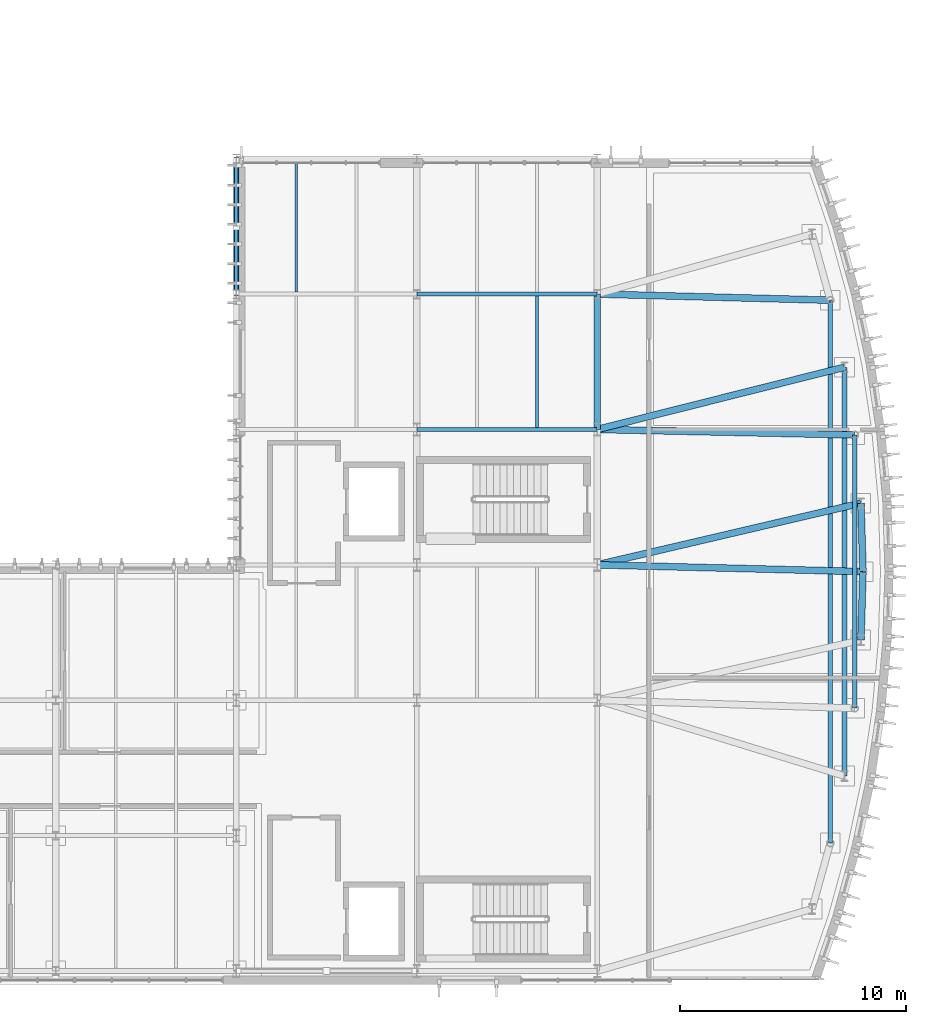
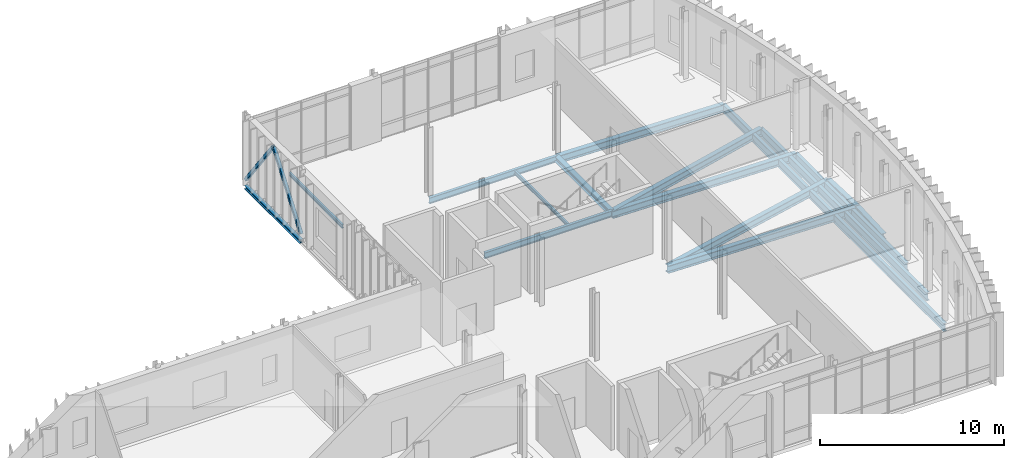
# One storey, part 41 of 86: 16 beams, 2 members.
"""IFC4 building model written with IfcOpenShell, lengths in metres."""

from ifc_helpers import new_model, si_unit, direction, frame, origin, origin_2d, place, context, subcontext, project, spatial, hollow_rectangle, i_section, extrude, material, material_profile, profile_set, type_object, element, save


model = new_model("IFC4")

# Units and contexts
model_context = context("Model", 3, precision=1e-05, world=origin(), true_north=direction((0.0, 1.0)))
body_context = subcontext(model_context, "Body", "Model", "MODEL_VIEW")
ifc_project = project(units=[si_unit("LENGTHUNIT", "METRE"), si_unit("AREAUNIT", "SQUARE_METRE"), si_unit("VOLUMEUNIT", "CUBIC_METRE"), si_unit("PLANEANGLEUNIT", "RADIAN"), si_unit("MASSUNIT", "GRAM", prefix="KILO")], contexts=[model_context])

# Site, building, storey
site_placement = place(None, origin())
site = spatial("IfcSite", under=ifc_project, at=site_placement, CompositionType="ELEMENT")
building_placement = place(site_placement, origin())
building = spatial("IfcBuilding", under=site, at=building_placement, Name="Cymarion Research Institute", CompositionType="ELEMENT")
storey_placement = place(building_placement, frame((0.0, 0.0, 13.800048828125)))
storey = spatial("IfcBuildingStorey", under=building, at=storey_placement, Name="L03", CompositionType="ELEMENT", Elevation=13.800048828125)

# Beams
ifc_material = material(Name="Steel S355", Category="steel")
ifc_material_profile_1 = material_profile(ifc_material, i_section(OverallWidth=0.2099609375, OverallDepth=0.550048828125, WebThickness=0.010986328125, FlangeThickness=0.01708984375, FilletRadius=0.02392578125, at=origin_2d()), Name="IPE 550")
ifc_profile_set_1 = profile_set([ifc_material_profile_1], Name="Steel S355")
beam_type_1 = type_object("IfcBeamType", Name="PRIMARY GIRDER BM02 IPE 550", PredefinedType="BEAM", material=ifc_profile_set_1)
beam_1_placement = place(storey_placement, frame((164.929931640625, 11.1787109375, -0.525146484375), z_axis=(0.0, 1.0, 0.0), x_axis=(-1.0, 0.0, 0.0)))
element("IfcBeam", 1, at=beam_1_placement, inside=storey, type_object=beam_type_1, Name="L03 V1 girder BM02 #1224", PredefinedType="BEAM", context=body_context, shape_type="SweptSolid", body=[
    extrude(i_section(OverallWidth=0.2099609375, OverallDepth=0.550048828125, WebThickness=0.010986328125, FlangeThickness=0.01708984375, FilletRadius=0.02392578125, at=origin_2d()), origin(), (0.0, 0.0, 1.0), 24.04248046875),
])
beam_2_placement = place(storey_placement, frame((165.56005859375, 14.1474609375, -0.525146484375), z_axis=(0.0, 1.0, 0.0), x_axis=(-1.0, 0.0, 0.0)))
element("IfcBeam", 2, at=beam_2_placement, inside=storey, type_object=beam_type_1, Name="L03 V1 girder BM02 #1225", PredefinedType="BEAM", context=body_context, shape_type="SweptSolid", body=[
    extrude(i_section(OverallWidth=0.2099609375, OverallDepth=0.550048828125, WebThickness=0.010986328125, FlangeThickness=0.01708984375, FilletRadius=0.02392578125, at=origin_2d()), origin(), (0.0, 0.0, 1.0), 18.10498046875),
])
beam_3_placement = place(storey_placement, frame((166.010009765625, 17.148681640625, -0.525146484375), z_axis=(0.0, 1.0, 0.0), x_axis=(-1.0, 0.0, 0.0)))
element("IfcBeam", 3, at=beam_3_placement, inside=storey, type_object=beam_type_1, Name="L03 V1 girder BM02 #1226", PredefinedType="BEAM", context=body_context, shape_type="SweptSolid", body=[
    extrude(i_section(OverallWidth=0.2099609375, OverallDepth=0.550048828125, WebThickness=0.010986328125, FlangeThickness=0.01708984375, FilletRadius=0.02392578125, at=origin_2d()), origin(), (0.0, 0.0, 1.0), 12.1025390625),
])
ifc_material_profile_2 = material_profile(ifc_material, i_section(OverallWidth=0.179931640625, OverallDepth=0.39990234375, WebThickness=0.008544921875, FlangeThickness=0.013427734375, FilletRadius=0.02099609375, at=origin_2d()), Name="IPE 400")
ifc_profile_set_2 = profile_set([ifc_material_profile_2], Name="Steel S355")
beam_type_2 = type_object("IfcBeamType", Name="PRIMARY GIRDER BM05 IPE 400", PredefinedType="BEAM", material=ifc_profile_set_2)
for number, where, z_axis, x_axis, name in (
    (4, (146.60595703125, 29.5, -0.449951171875), (1.0, 0.0, 0.0), (0.0, 1.0, 0.0), "L03 V1 girder BM05 #1191"),
    (5, (146.60595703125, 35.5, -0.449951171875), (1.0, 0.0, 0.0), (0.0, 1.0, 0.0), "L03 V1 girder BM05 #1193"),
):
    element("IfcBeam", number, at=place(storey_placement, frame(where, z_axis=z_axis, x_axis=x_axis)), inside=storey, type_object=beam_type_2, Name=name, PredefinedType="BEAM", context=body_context, shape_type="SweptSolid", body=[
        extrude(i_section(OverallWidth=0.179931640625, OverallDepth=0.39990234375, WebThickness=0.008544921875, FlangeThickness=0.013427734375, FilletRadius=0.02099609375, at=origin_2d()), origin(), (0.0, 0.0, 1.0), 7.988037109375),
    ])
ifc_material_profile_3 = material_profile(ifc_material, i_section(OverallWidth=0.300048828125, OverallDepth=0.5, WebThickness=0.014404296875, FlangeThickness=0.028076171875, FilletRadius=0.027099609375, at=origin_2d()), Name="HEB 500")
ifc_profile_set_3 = profile_set([ifc_material_profile_3], Name="Steel S355")
beam_type_3 = type_object("IfcBeamType", Name="PRIMARY GIRDER BM09 HEB 500", PredefinedType="BEAM", material=ifc_profile_set_3)
beam_4_placement = place(storey_placement, frame((154.60791015625, 23.499755859375, -0.5), z_axis=(0.999675752574, -0.025463497715, 0.0), x_axis=(0.025463497715, 0.999675752574, 0.0)))
element("IfcBeam", 6, at=beam_4_placement, inside=storey, type_object=beam_type_3, Name="L03 V1 radial prow girder BM09 #1235", PredefinedType="BEAM", context=body_context, shape_type="SweptSolid", body=[
    extrude(i_section(OverallWidth=0.300048828125, OverallDepth=0.5, WebThickness=0.014404296875, FlangeThickness=0.028076171875, FilletRadius=0.027099609375, at=origin_2d()), origin(), (0.0, 0.0, 1.0), 11.764404296875),
])
beam_5_placement = place(storey_placement, frame((154.60791015625, 23.501708984375, -0.5), z_axis=(0.973701737176, 0.22782652835, 0.0), x_axis=(-0.22782652835, 0.973701737176, 0.0)))
element("IfcBeam", 7, at=beam_5_placement, inside=storey, type_object=beam_type_3, Name="L03 V1 radial prow girder BM09 #1236", PredefinedType="BEAM", context=body_context, shape_type="SweptSolid", body=[
    extrude(i_section(OverallWidth=0.300048828125, OverallDepth=0.5, WebThickness=0.014404296875, FlangeThickness=0.028076171875, FilletRadius=0.027099609375, at=origin_2d()), origin(), (0.0, 0.0, 1.0), 11.98486328125),
])
beam_6_placement = place(storey_placement, frame((154.60791015625, 29.499755859375, -0.5), z_axis=(0.999773836643, -0.021266771342, 0.0), x_axis=(0.021266771342, 0.999773836643, 0.0)))
element("IfcBeam", 8, at=beam_6_placement, inside=storey, type_object=beam_type_3, Name="L03 V1 radial prow girder BM09 #1237", PredefinedType="BEAM", context=body_context, shape_type="SweptSolid", body=[
    extrude(i_section(OverallWidth=0.300048828125, OverallDepth=0.5, WebThickness=0.014404296875, FlangeThickness=0.028076171875, FilletRadius=0.027099609375, at=origin_2d()), origin(), (0.0, 0.0, 1.0), 11.399658203125),
])
beam_7_placement = place(storey_placement, frame((154.60791015625, 29.501953125, -0.5), z_axis=(0.969753132193, 0.244087817399, 0.0), x_axis=(-0.244087817399, 0.969753132193, 0.0)))
element("IfcBeam", 9, at=beam_7_placement, inside=storey, type_object=beam_type_3, Name="L03 V1 radial prow girder BM09 #1238", PredefinedType="BEAM", context=body_context, shape_type="SweptSolid", body=[
    extrude(i_section(OverallWidth=0.300048828125, OverallDepth=0.5, WebThickness=0.014404296875, FlangeThickness=0.028076171875, FilletRadius=0.027099609375, at=origin_2d()), origin(), (0.0, 0.0, 1.0), 11.285400390625),
])
beam_8_placement = place(storey_placement, frame((154.60791015625, 35.499755859375, -0.5), z_axis=(0.999651753998, -0.026388837201, 0.0), x_axis=(0.026388837201, 0.999651753998, 0.0)))
element("IfcBeam", 10, at=beam_8_placement, inside=storey, type_object=beam_type_3, Name="L03 V1 radial prow girder BM09 #1239", PredefinedType="BEAM", context=body_context, shape_type="SweptSolid", body=[
    extrude(i_section(OverallWidth=0.300048828125, OverallDepth=0.5, WebThickness=0.014404296875, FlangeThickness=0.028076171875, FilletRadius=0.027099609375, at=origin_2d()), origin(), (0.0, 0.0, 1.0), 10.315673828125),
])
ifc_material_profile_4 = material_profile(ifc_material, i_section(OverallWidth=0.300048828125, OverallDepth=0.39990234375, WebThickness=0.013427734375, FlangeThickness=0.02392578125, FilletRadius=0.027099609375, at=origin_2d()), Name="HEB 400")
ifc_profile_set_4 = profile_set([ifc_material_profile_4], Name="Steel S355")
beam_type_4 = type_object("IfcBeamType", Name="PRIMARY GIRDER BM11 HEB 400", PredefinedType="BEAM", material=ifc_profile_set_4)
beam_9_placement = place(storey_placement, frame((166.28564453125, 20.174072265625, -0.449951171875), z_axis=(0.030000243484, 0.999549891397, 0.0), x_axis=(-0.999549891397, 0.030000243484, 0.0)))
element("IfcBeam", 11, at=beam_9_placement, inside=storey, type_object=beam_type_4, Name="L03 V1 prow ring girder BM11 #1228", PredefinedType="BEAM", context=body_context, shape_type="SweptSolid", body=[
    extrude(i_section(OverallWidth=0.300048828125, OverallDepth=0.39990234375, WebThickness=0.013427734375, FlangeThickness=0.02392578125, FilletRadius=0.027099609375, at=origin_2d()), origin(), (0.0, 0.0, 1.0), 3.019287109375),
])
beam_10_placement = place(storey_placement, frame((166.376220703125, 23.2080078125, -0.449951171875), z_axis=(-0.029997818857, 0.999549964166, 0.0), x_axis=(-0.999549964166, -0.029997818857, 0.0)))
element("IfcBeam", 12, at=beam_10_placement, inside=storey, type_object=beam_type_4, Name="L03 V1 prow ring girder BM11 #1229", PredefinedType="BEAM", context=body_context, shape_type="SweptSolid", body=[
    extrude(i_section(OverallWidth=0.300048828125, OverallDepth=0.39990234375, WebThickness=0.013427734375, FlangeThickness=0.02392578125, FilletRadius=0.027099609375, at=origin_2d()), origin(), (0.0, 0.0, 1.0), 3.01953125),
])
ifc_material_profile_5 = material_profile(ifc_material, i_section(OverallWidth=0.300048828125, OverallDepth=0.35009765625, WebThickness=0.010009765625, FlangeThickness=0.017578125, FilletRadius=0.027099609375, at=origin_2d()), Name="HEA 360")
ifc_profile_set_5 = profile_set([ifc_material_profile_5], Name="Steel S355")
beam_type_5 = type_object("IfcBeamType", Name="PRIMARY GIRDER BM12 HEA 360", PredefinedType="BEAM", material=ifc_profile_set_5)
beam_11_placement = place(storey_placement, frame((154.60009765625, 29.506103515625, -0.425048828125), z_axis=(0.0, 1.0, 0.0), x_axis=(-1.0, 0.0, 0.0)))
element("IfcBeam", 13, at=beam_11_placement, inside=storey, type_object=beam_type_5, Name="L03 V1 girder BM12 #1222", PredefinedType="BEAM", context=body_context, shape_type="SweptSolid", body=[
    extrude(i_section(OverallWidth=0.300048828125, OverallDepth=0.35009765625, WebThickness=0.010009765625, FlangeThickness=0.017578125, FilletRadius=0.027099609375, at=origin_2d()), origin(), (0.0, 0.0, 1.0), 5.98779296875),
])
ifc_material_profile_6 = material_profile(ifc_material, i_section(OverallWidth=0.1201171875, OverallDepth=0.239990234375, WebThickness=0.006103515625, FlangeThickness=0.009765625, FilletRadius=0.014892578125, at=origin_2d()), Name="IPE 240")
ifc_profile_set_6 = profile_set([ifc_material_profile_6], Name="Steel S355")
beam_type_6 = type_object("IfcBeamType", Name="SECONDARY JOIST JS04 IPE 240", PredefinedType="JOIST", material=ifc_profile_set_6)
beam_12_placement = place(storey_placement, frame((151.933349609375, 29.593994140625, -0.3701171875), z_axis=(0.0, 1.0, 0.0), x_axis=(-1.0, 0.0, 0.0)))
element("IfcBeam", 14, at=beam_12_placement, inside=storey, type_object=beam_type_6, Name="L03 V1 secondary joist JS04 #1273", PredefinedType="JOIST", context=body_context, shape_type="SweptSolid", body=[
    extrude(i_section(OverallWidth=0.1201171875, OverallDepth=0.239990234375, WebThickness=0.006103515625, FlangeThickness=0.009765625, FilletRadius=0.014892578125, at=origin_2d()), origin(), (0.0, 0.0, 1.0), 5.81201171875),
])
beam_13_placement = place(storey_placement, frame((141.2666015625, 35.593994140625, -0.3701171875), z_axis=(0.0, 1.0, 0.0), x_axis=(-1.0, 0.0, 0.0)))
element("IfcBeam", 15, at=beam_13_placement, inside=storey, type_object=beam_type_6, Name="L03 V1 secondary joist JS04 #1274", PredefinedType="JOIST", context=body_context, shape_type="SweptSolid", body=[
    extrude(i_section(OverallWidth=0.1201171875, OverallDepth=0.239990234375, WebThickness=0.006103515625, FlangeThickness=0.009765625, FilletRadius=0.014892578125, at=origin_2d()), origin(), (0.0, 0.0, 1.0), 5.781982421875),
])
ifc_material_profile_7 = material_profile(ifc_material, i_section(OverallWidth=0.239990234375, OverallDepth=0.22998046875, WebThickness=0.007568359375, FlangeThickness=0.011962890625, FilletRadius=0.02099609375, at=origin_2d()), Name="HEA 240")
ifc_profile_set_7 = profile_set([ifc_material_profile_7], Name="Steel S355")
beam_type_7 = type_object("IfcBeamType", Name="SPANDREL BEAM SPB03 HEA 240", PredefinedType="SPANDREL", material=ifc_profile_set_7)
beam_14_placement = place(storey_placement, frame((138.60009765625, 35.506103515625, -0.364990234375), z_axis=(0.0, 1.0, 0.0), x_axis=(-1.0, 0.0, 0.0)))
element("IfcBeam", 16, at=beam_14_placement, inside=storey, type_object=beam_type_7, Name="L03 V1 girder SPB03 #1213", PredefinedType="SPANDREL", context=body_context, shape_type="SweptSolid", body=[
    extrude(i_section(OverallWidth=0.239990234375, OverallDepth=0.22998046875, WebThickness=0.007568359375, FlangeThickness=0.011962890625, FilletRadius=0.02099609375, at=origin_2d()), origin(), (0.0, 0.0, 1.0), 5.98779296875),
])

# Members
ifc_material_profile_8 = material_profile(ifc_material, hollow_rectangle(XDim=0.199951171875, YDim=0.199951171875, WallThickness=0.010009765625, InnerFilletRadius=0.014892578125, OuterFilletRadius=0.02490234375, at=origin_2d()), Name="SHS 200x200x10")
ifc_profile_set_8 = profile_set([ifc_material_profile_8], Name="Steel S355")
member_type = type_object("IfcMemberType", Name="STRUCTURAL MEMBER BR07 SHS 200x200x10", PredefinedType="BRACE", material=ifc_profile_set_8)
for number, where, z_axis, x_axis, name in (
    (17, (138.60009765625, 35.511962890625, 0.119873046875), (0.0, 0.59864246265, 0.801016355583), (-1.0, 0.0, 0.0), "L03 V1 seismic chevron brace BR07 #1"),
    (18, (138.60009765625, 41.488037109375, 0.119873046875), (0.0, -0.59864246265, 0.801016355583), (1.0, 0.0, 0.0), "L03 V1 seismic chevron brace BR07 #2"),
):
    element("IfcMember", number, at=place(storey_placement, frame(where, z_axis=z_axis, x_axis=x_axis)), inside=storey, type_object=member_type, Name=name, PredefinedType="BRACE", context=body_context, shape_type="SweptSolid", body=[
        extrude(hollow_rectangle(XDim=0.199951171875, YDim=0.199951171875, WallThickness=0.010009765625, InnerFilletRadius=0.014892578125, OuterFilletRadius=0.02490234375, at=origin_2d()), origin(), (0.0, 0.0, 1.0), 4.981201171875),
    ])

save(model, "model.ifc")
